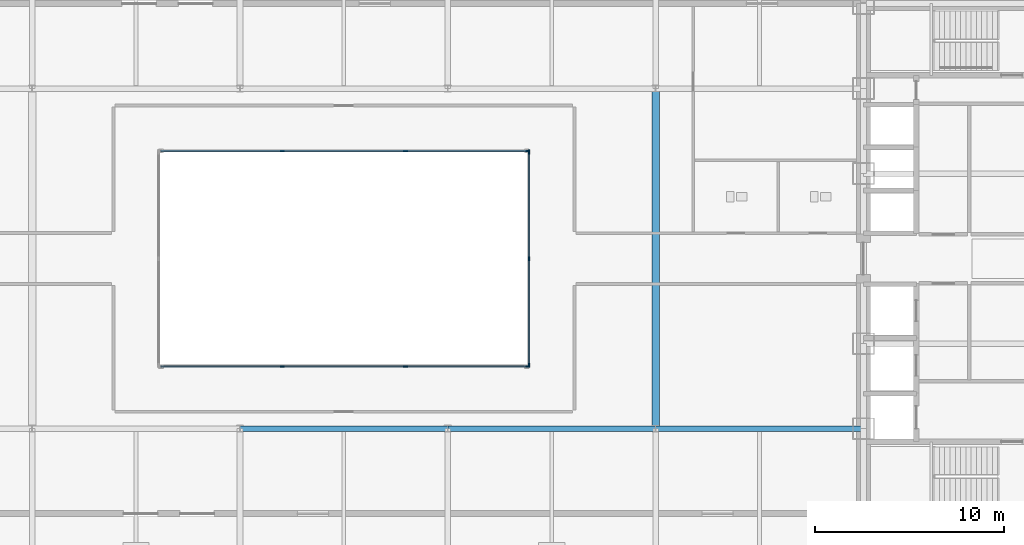
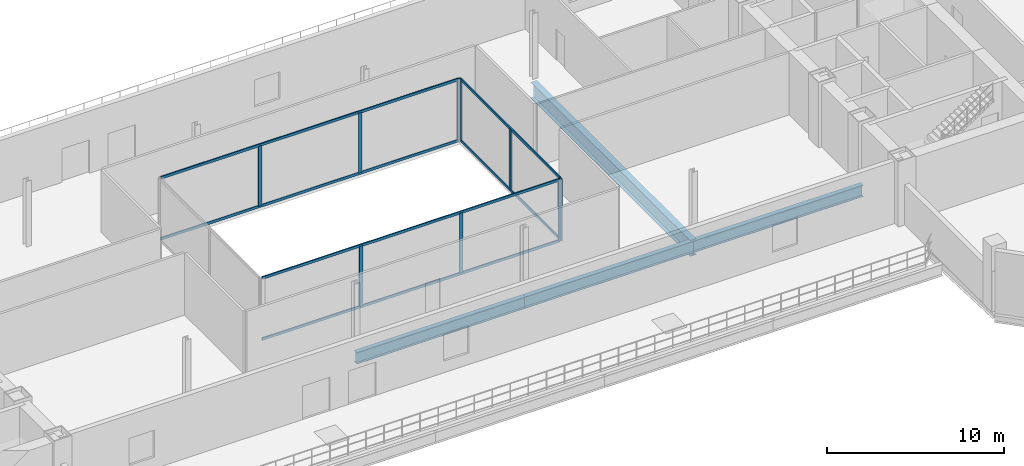
# One storey, part 12 of 23: 15 members, 4 beams, 3 elements without a shape of their own.
"""IFC4 building model written with IfcOpenShell, lengths in metres."""

from ifc_helpers import new_model, si_unit, direction, frame, origin, origin_2d, place, context, subcontext, project, spatial, rectangle, i_section, extrude, source, transform, mapped, material, layer, layer_set, material_profile, profile_set, type_object, type_shapes, element, aggregate, save


model = new_model("IFC4")

# Units and contexts
model_context = context("Model", 3, precision=1e-05, world=origin(), true_north=direction((0.0, 1.0)))
body_context = subcontext(model_context, "Body", "Model", "MODEL_VIEW")
ifc_project = project(units=[si_unit("LENGTHUNIT", "METRE"), si_unit("AREAUNIT", "SQUARE_METRE"), si_unit("VOLUMEUNIT", "CUBIC_METRE"), si_unit("PLANEANGLEUNIT", "RADIAN"), si_unit("MASSUNIT", "GRAM", prefix="KILO")], contexts=[model_context])

# Site, building, storey
site_placement = place(None, origin())
site = spatial("IfcSite", under=ifc_project, at=site_placement, CompositionType="ELEMENT")
building_placement = place(site_placement, origin())
building = spatial("IfcBuilding", under=site, at=building_placement, Name="Seokmaru Belvedere", CompositionType="ELEMENT")
storey_placement = place(building_placement, frame((0.0, 0.0, 14.39990234375)))
storey = spatial("IfcBuildingStorey", under=building, at=storey_placement, Name="L03", CompositionType="ELEMENT", Elevation=14.39990234375)

# Beams
ifc_material_1 = material(Name="Steel SM355 (355 MPa)", Category="steel")
ifc_material_profile_1 = material_profile(ifc_material_1, i_section(OverallWidth=0.300048828125, OverallDepth=0.800048828125, WebThickness=0.013916015625, FlangeThickness=0.02587890625, at=origin_2d()), Name="H-800x300x14x26")
ifc_profile_set_1 = profile_set([ifc_material_profile_1], Name="Steel SM355 (355 MPa)")
beam_type_1 = type_object("IfcBeamType", Name="Podium Primary Girder H-800", PredefinedType="BEAM", material=ifc_profile_set_1)
shared_shape_1 = source(origin(), body_context, "Body", "SweptSolid", [
    extrude(i_section(OverallWidth=0.300048828125, OverallDepth=0.800048828125, WebThickness=0.013916015625, FlangeThickness=0.02587890625, at=origin_2d()), origin(), (0.0, 0.0, 1.0), 11.0),
])
type_shapes(beam_type_1, [shared_shape_1])
for number, where, z_axis, x_axis, name in (
    (1, (-5.5, -9.0, -0.679931640625), (1.0, 0.0, 0.0), (0.0, 1.0, 0.0), "L03 Central Podium Girder 2-3"),
    (2, (5.5, -9.0, -0.679931640625), (1.0, 0.0, 0.0), (0.0, 1.0, 0.0), "L03 Central Podium Girder 2-4"),
    (3, (16.5, -9.0, -0.679931640625), (1.0, 0.0, 0.0), (0.0, 1.0, 0.0), "L03 Central Podium Girder 2-5"),
):
    element("IfcBeam", number, at=place(storey_placement, frame(where, z_axis=z_axis, x_axis=x_axis)), inside=storey, type_object=beam_type_1, Name=name, PredefinedType="BEAM", context=body_context, shape_type="MappedRepresentation", body=[
        mapped(shared_shape_1, transform((0.0, 0.0, 0.0), scale=1.0)),
    ])
ifc_material_profile_2 = material_profile(ifc_material_1, i_section(OverallWidth=0.39990234375, OverallDepth=1.10009765625, WebThickness=0.02001953125, FlangeThickness=0.033935546875, at=origin_2d()), Name="BH-1100x400x20x34")
ifc_profile_set_2 = profile_set([ifc_material_profile_2], Name="Steel SM355 (355 MPa)")
beam_type_2 = type_object("IfcBeamType", Name="Sky-Gate Transverse Girder BH-1100", PredefinedType="BEAM", material=ifc_profile_set_2)
shared_shape_2 = source(origin(), body_context, "Body", "SweptSolid", [
    extrude(i_section(OverallWidth=0.39990234375, OverallDepth=1.10009765625, WebThickness=0.02001953125, FlangeThickness=0.033935546875, at=origin_2d()), origin(), (0.0, 0.0, 1.0), 18.0),
])
type_shapes(beam_type_2, [shared_shape_2])
beam_placement = place(storey_placement, frame((16.5, -9.0, -0.829833984375), z_axis=(0.0, 1.0, 0.0), x_axis=(-1.0, 0.0, 0.0)))
element("IfcBeam", 4, at=beam_placement, inside=storey, type_object=beam_type_2, Name="L03 Central Podium Transverse Girder 4-2", PredefinedType="BEAM", context=body_context, shape_type="MappedRepresentation", body=[
    mapped(shared_shape_2, transform((0.0, 0.0, 0.0), scale=1.0)),
])

# Curtain wall, member
ifc_material_2 = material(Name="Bronze Triple Insulating Glass", Category="glass")
ifc_layer = layer(ifc_material_2, 0.219970703125)
ifc_layer_set = layer_set([ifc_layer], Name="Bronze Triple Insulating Glass")
curtain_wall_type = type_object("IfcCurtainWallType", Name="Podium Concourse Curtain Wall System CW-1", PredefinedType="NOTDEFINED", material=ifc_layer_set)
curtain_wall_1_placement = place(storey_placement, origin())
curtain_wall_1 = element("IfcCurtainWall", 5, at=curtain_wall_1_placement, inside=storey, type_object=curtain_wall_type, Name="L03 Curtain Wall AT_S", PredefinedType="NOTDEFINED")
ifc_material_3 = material(Name="Anodised Bronze Aluminium", Category="aluminium")
ifc_material_profile_3 = material_profile(ifc_material_3, rectangle(XDim=0.080078125, YDim=0.219970703125, at=origin_2d()), Name="CW-M-80x220")
ifc_profile_set_3 = profile_set([ifc_material_profile_3], Name="Anodised Bronze Aluminium")
member_type_1 = type_object("IfcMemberType", Name="Bronze Unitised Mullion 80x220", PredefinedType="MULLION", material=ifc_profile_set_3)
shared_shape_3 = source(origin(), body_context, "Body", "SweptSolid", [
    extrude(rectangle(XDim=0.080078125, YDim=0.219970703125, at=origin_2d()), origin(), (0.0, 0.0, 1.0), 4.280029296875),
])
member_1_placement = place(storey_placement, frame((9.739990234375, -5.699951171875, 0.0), z_axis=(0.0, 0.0, 1.0), x_axis=(0.0, 1.0, 0.0)))
member_1 = element("IfcMember", 6, at=member_1_placement, type_object=member_type_1, Name="CW:L03:AT_S Mullion 4", PredefinedType="MULLION", context=body_context, shape_type="MappedRepresentation", body=[
    mapped(shared_shape_3, transform((0.0, 0.0, 0.0), scale=1.0)),
])

curtain_wall_2_placement = place(storey_placement, origin())
curtain_wall_2 = element("IfcCurtainWall", 7, at=curtain_wall_2_placement, inside=storey, type_object=curtain_wall_type, Name="L03 Curtain Wall AT_N", PredefinedType="NOTDEFINED")
member_2_placement = place(storey_placement, frame((9.739990234375, 5.699951171875, 0.0), z_axis=(0.0, 0.0, 1.0), x_axis=(0.0, -1.0, 0.0)))
member_2 = element("IfcMember", 8, at=member_2_placement, type_object=member_type_1, Name="CW:L03:AT_N Mullion 1", PredefinedType="MULLION", context=body_context, shape_type="MappedRepresentation", body=[
    mapped(shared_shape_3, transform((0.0, 0.0, 0.0), scale=1.0)),
])

# Curtain wall, members
curtain_wall_3_placement = place(storey_placement, origin())
curtain_wall_3 = element("IfcCurtainWall", 9, at=curtain_wall_3_placement, inside=storey, type_object=curtain_wall_type, Name="L03 Curtain Wall AT_E", PredefinedType="NOTDEFINED")
member_3_placement = place(storey_placement, frame((9.800048828125, -5.639892578125, 0.0), z_axis=(0.0, 0.0, 1.0), x_axis=(-1.0, 0.0, 0.0)))
member_3 = element("IfcMember", 10, at=member_3_placement, type_object=member_type_1, Name="CW:L03:AT_E Mullion 1", PredefinedType="MULLION", context=body_context, shape_type="MappedRepresentation", body=[
    mapped(shared_shape_3, transform((0.0, 0.0, 0.0), scale=1.0)),
])
member_4_placement = place(storey_placement, frame((9.800048828125, 5.639892578125, 0.0), z_axis=(0.0, 0.0, 1.0), x_axis=(-1.0, 0.0, 0.0)))
member_4 = element("IfcMember", 11, at=member_4_placement, type_object=member_type_1, Name="CW:L03:AT_E Mullion 3", PredefinedType="MULLION", context=body_context, shape_type="MappedRepresentation", body=[
    mapped(shared_shape_3, transform((0.0, 0.0, 0.0), scale=1.0)),
])

# Member
shared_shape_4 = source(origin(), body_context, "Body", "SweptSolid", [
    extrude(rectangle(XDim=0.080078125, YDim=0.219970703125, at=origin_2d()), origin(), (0.0, 0.0, 1.0), 4.1298828125),
])
type_shapes(member_type_1, [shared_shape_3, shared_shape_4])
member_5_placement = place(storey_placement, frame((-3.260009765625, -5.699951171875, 0.0751953125), z_axis=(0.0, 0.0, 1.0), x_axis=(0.0, 1.0, 0.0)))
member_5 = element("IfcMember", 12, at=member_5_placement, type_object=member_type_1, Name="CW:L03:AT_S Mullion 2", PredefinedType="MULLION", context=body_context, shape_type="MappedRepresentation", body=[
    mapped(shared_shape_4, transform((0.0, 0.0, 0.0), scale=1.0)),
])

member_6_placement = place(storey_placement, frame((3.260009765625, -5.699951171875, 0.0751953125), z_axis=(0.0, 0.0, 1.0), x_axis=(0.0, 1.0, 0.0)))
member_6 = element("IfcMember", 13, at=member_6_placement, type_object=member_type_1, Name="CW:L03:AT_S Mullion 3", PredefinedType="MULLION", context=body_context, shape_type="MappedRepresentation", body=[
    mapped(shared_shape_4, transform((0.0, 0.0, 0.0), scale=1.0)),
])

member_7_placement = place(storey_placement, frame((3.260009765625, 5.699951171875, 0.0751953125), z_axis=(0.0, 0.0, 1.0), x_axis=(0.0, -1.0, 0.0)))
member_7 = element("IfcMember", 14, at=member_7_placement, type_object=member_type_1, Name="CW:L03:AT_N Mullion 2", PredefinedType="MULLION", context=body_context, shape_type="MappedRepresentation", body=[
    mapped(shared_shape_4, transform((0.0, 0.0, 0.0), scale=1.0)),
])

member_8_placement = place(storey_placement, frame((-3.260009765625, 5.699951171875, 0.0751953125), z_axis=(0.0, 0.0, 1.0), x_axis=(0.0, -1.0, 0.0)))
member_8 = element("IfcMember", 15, at=member_8_placement, type_object=member_type_1, Name="CW:L03:AT_N Mullion 3", PredefinedType="MULLION", context=body_context, shape_type="MappedRepresentation", body=[
    mapped(shared_shape_4, transform((0.0, 0.0, 0.0), scale=1.0)),
])

member_9_placement = place(storey_placement, frame((9.800048828125, 0.0, 0.0751953125), z_axis=(0.0, 0.0, 1.0), x_axis=(-1.0, 0.0, 0.0)))
member_9 = element("IfcMember", 16, at=member_9_placement, type_object=member_type_1, Name="CW:L03:AT_E Mullion 2", PredefinedType="MULLION", context=body_context, shape_type="MappedRepresentation", body=[
    mapped(shared_shape_4, transform((0.0, 0.0, 0.0), scale=1.0)),
])

ifc_material_profile_4 = material_profile(ifc_material_3, rectangle(XDim=0.074951171875, YDim=0.179931640625, at=origin_2d()), Name="CW-T-75x180")
ifc_profile_set_4 = profile_set([ifc_material_profile_4], Name="Anodised Bronze Aluminium")
member_type_2 = type_object("IfcMemberType", Name="Bronze Unitised Transom 75x180", PredefinedType="USERDEFINED", material=ifc_profile_set_4)
shared_shape_5 = source(origin(), body_context, "Body", "SweptSolid", [
    extrude(rectangle(XDim=0.074951171875, YDim=0.179931640625, at=origin_2d()), origin(), (0.0, 0.0, 1.0), 19.39990234375),
])
member_10_placement = place(storey_placement, frame((-9.699951171875, -5.699951171875, 0.03759765625), z_axis=(1.0, 0.0, 0.0), x_axis=(0.0, 1.0, 0.0)))
member_10 = element("IfcMember", 17, at=member_10_placement, type_object=member_type_2, Name="CW:L03:AT_S Continuous Transom 1", ObjectType="TRANSOM", PredefinedType="USERDEFINED", context=body_context, shape_type="MappedRepresentation", body=[
    mapped(shared_shape_5, transform((0.0, 0.0, 0.0), scale=1.0)),
])

member_11_placement = place(storey_placement, frame((-9.699951171875, -5.699951171875, 4.24267578125), z_axis=(1.0, 0.0, 0.0), x_axis=(0.0, 1.0, 0.0)))
member_11 = element("IfcMember", 18, at=member_11_placement, type_object=member_type_2, Name="CW:L03:AT_S Continuous Transom 2", ObjectType="TRANSOM", PredefinedType="USERDEFINED", context=body_context, shape_type="MappedRepresentation", body=[
    mapped(shared_shape_5, transform((0.0, 0.0, 0.0), scale=1.0)),
])

aggregate(curtain_wall_1, [member_5, member_6, member_1, member_10, member_11])

member_12_placement = place(storey_placement, frame((9.699951171875, 5.699951171875, 0.03759765625), z_axis=(-1.0, 0.0, 0.0), x_axis=(0.0, -1.0, 0.0)))
member_12 = element("IfcMember", 19, at=member_12_placement, type_object=member_type_2, Name="CW:L03:AT_N Continuous Transom 1", ObjectType="TRANSOM", PredefinedType="USERDEFINED", context=body_context, shape_type="MappedRepresentation", body=[
    mapped(shared_shape_5, transform((0.0, 0.0, 0.0), scale=1.0)),
])

member_13_placement = place(storey_placement, frame((9.699951171875, 5.699951171875, 4.24267578125), z_axis=(-1.0, 0.0, 0.0), x_axis=(0.0, -1.0, 0.0)))
member_13 = element("IfcMember", 20, at=member_13_placement, type_object=member_type_2, Name="CW:L03:AT_N Continuous Transom 2", ObjectType="TRANSOM", PredefinedType="USERDEFINED", context=body_context, shape_type="MappedRepresentation", body=[
    mapped(shared_shape_5, transform((0.0, 0.0, 0.0), scale=1.0)),
])

aggregate(curtain_wall_2, [member_2, member_7, member_8, member_12, member_13])

shared_shape_6 = source(origin(), body_context, "Body", "SweptSolid", [
    extrude(rectangle(XDim=0.074951171875, YDim=0.179931640625, at=origin_2d()), origin(), (0.0, 0.0, 1.0), 11.2001953125),
])
type_shapes(member_type_2, [shared_shape_5, shared_shape_6])
member_14_placement = place(storey_placement, frame((9.800048828125, -5.60009765625, 0.03759765625), z_axis=(0.0, 1.0, 0.0), x_axis=(-1.0, 0.0, 0.0)))
member_14 = element("IfcMember", 21, at=member_14_placement, type_object=member_type_2, Name="CW:L03:AT_E Continuous Transom 1", ObjectType="TRANSOM", PredefinedType="USERDEFINED", context=body_context, shape_type="MappedRepresentation", body=[
    mapped(shared_shape_6, transform((0.0, 0.0, 0.0), scale=1.0)),
])

member_15_placement = place(storey_placement, frame((9.800048828125, -5.60009765625, 4.24267578125), z_axis=(0.0, 1.0, 0.0), x_axis=(-1.0, 0.0, 0.0)))
member_15 = element("IfcMember", 22, at=member_15_placement, type_object=member_type_2, Name="CW:L03:AT_E Continuous Transom 2", ObjectType="TRANSOM", PredefinedType="USERDEFINED", context=body_context, shape_type="MappedRepresentation", body=[
    mapped(shared_shape_6, transform((0.0, 0.0, 0.0), scale=1.0)),
])

aggregate(curtain_wall_3, [member_3, member_9, member_4, member_14, member_15])

save(model, "model.ifc")
